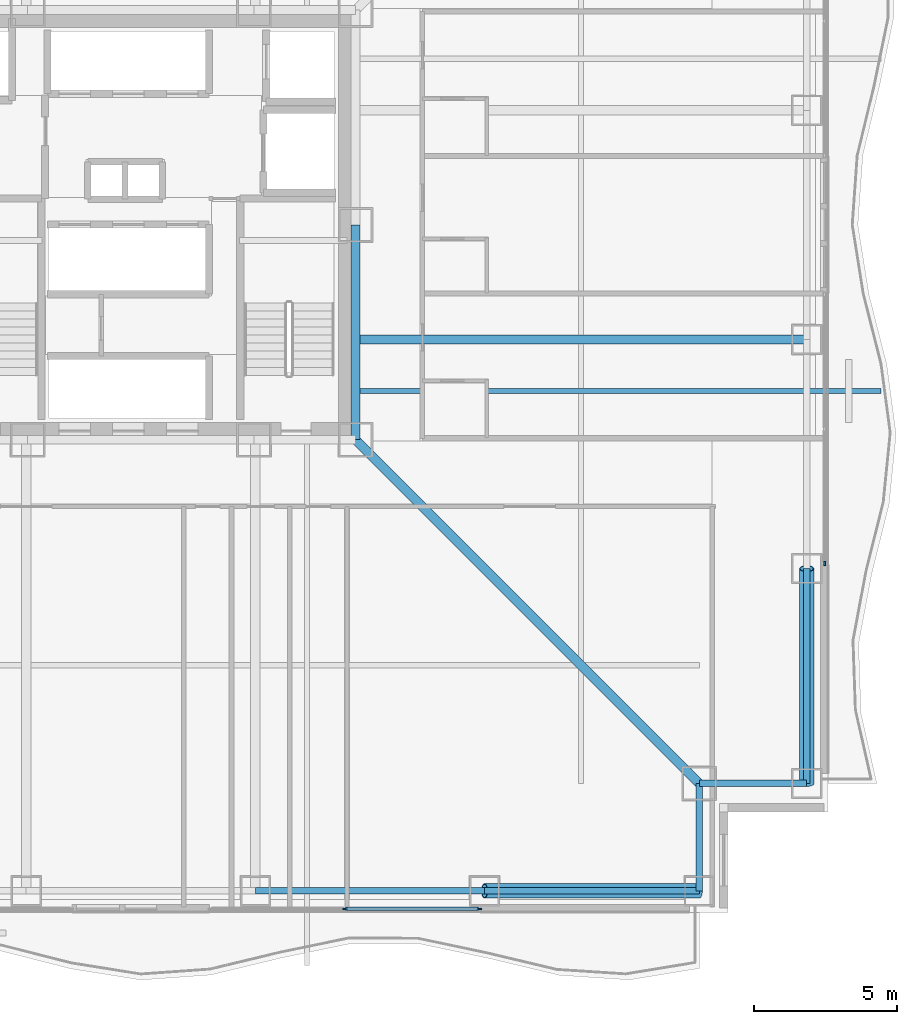
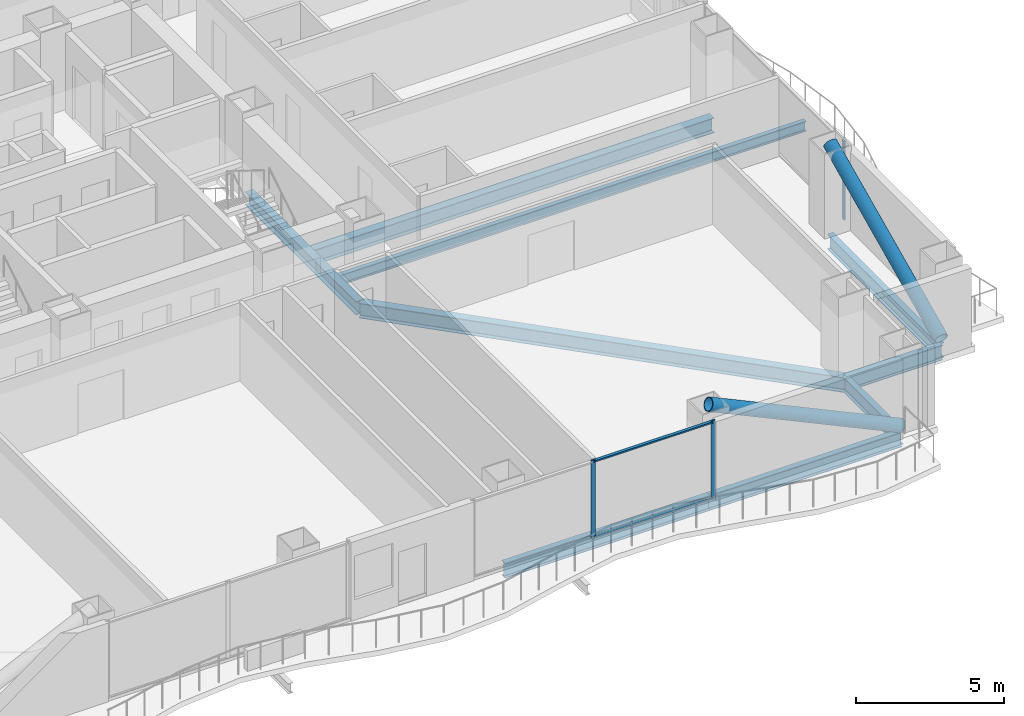
# One storey, part 6 of 24: 9 beams, 7 members, 2 elements without a shape of their own.
"""IFC4 building model written with IfcOpenShell, lengths in metres."""

from ifc_helpers import new_model, si_unit, direction, frame, origin, origin_2d, place, context, subcontext, project, spatial, rectangle, hollow_circle, i_section, extrude, material, layer, layer_set, material_profile, profile_set, type_object, element, aggregate, save


model = new_model("IFC4")

# Units and contexts
model_context = context("Model", 3, precision=1e-05, world=origin(), true_north=direction((0.0, 1.0)))
body_context = subcontext(model_context, "Body", "Model", "MODEL_VIEW")
ifc_project = project(units=[si_unit("LENGTHUNIT", "METRE"), si_unit("AREAUNIT", "SQUARE_METRE"), si_unit("VOLUMEUNIT", "CUBIC_METRE"), si_unit("PLANEANGLEUNIT", "RADIAN"), si_unit("MASSUNIT", "GRAM", prefix="KILO")], contexts=[model_context])

# Site, building, storey
site_placement = place(None, origin())
site = spatial("IfcSite", under=ifc_project, at=site_placement, CompositionType="ELEMENT")
building_placement = place(site_placement, origin())
building = spatial("IfcBuilding", under=site, at=building_placement, Name="Trevonay Congress Spire", CompositionType="ELEMENT")
storey_placement = place(building_placement, frame((0.0, 0.0, 55.0)))
storey = spatial("IfcBuildingStorey", under=building, at=storey_placement, Name="L13", CompositionType="ELEMENT", Elevation=55.0)

# Beams
ifc_material_1 = material(Name="Steel ASTM A572 Grade 50", Category="steel")
ifc_material_profile_1 = material_profile(ifc_material_1, i_section(OverallWidth=0.31201171875, OverallDepth=0.54296875, WebThickness=0.0126953125, FlangeThickness=0.020263671875, FilletRadius=0.014892578125, at=origin_2d()), Name="W530x150")
ifc_profile_set_1 = profile_set([ifc_material_profile_1], Name="Steel ASTM A572 Grade 50")
beam_type_1 = type_object("IfcBeamType", Name="BM-GIRD-W530X150", PredefinedType="BEAM", material=ifc_profile_set_1)
beam_1_placement = place(storey_placement, frame((7.5, -7.5, -0.521484375), z_axis=(0.0, 1.0, 0.0), x_axis=(-1.0, 0.0, 0.0)))
element("IfcBeam", 1, at=beam_1_placement, inside=storey, type_object=beam_type_1, Name="L13 structural beam BM-L13-CR-E1", PredefinedType="BEAM", context=body_context, shape_type="SweptSolid", body=[
    extrude(i_section(OverallWidth=0.31201171875, OverallDepth=0.54296875, WebThickness=0.0126953125, FlangeThickness=0.020263671875, FilletRadius=0.014892578125, at=origin_2d()), origin(), (0.0, 0.0, 1.0), 7.5),
])
ifc_material_profile_2 = material_profile(ifc_material_1, i_section(OverallWidth=0.324951171875, OverallDepth=0.615966796875, WebThickness=0.013916015625, FlangeThickness=0.021484375, FilletRadius=0.01806640625, at=origin_2d()), Name="W610x174")
ifc_profile_set_2 = profile_set([ifc_material_profile_2], Name="Steel ASTM A572 Grade 50")
beam_type_2 = type_object("IfcBeamType", Name="BM-GIRD-W610X174", PredefinedType="BEAM", material=ifc_profile_set_2)
beam_2_placement = place(storey_placement, frame((7.5, -7.5, -0.55810546875), z_axis=(0.707106781187, -0.707106781187, 0.0), x_axis=(0.707106781187, 0.707106781187, 0.0)))
element("IfcBeam", 2, at=beam_2_placement, inside=storey, type_object=beam_type_2, Name="L13 structural beam BM-L13-CDSE", PredefinedType="BEAM", context=body_context, shape_type="SweptSolid", body=[
    extrude(i_section(OverallWidth=0.324951171875, OverallDepth=0.615966796875, WebThickness=0.013916015625, FlangeThickness=0.021484375, FilletRadius=0.01806640625, at=origin_2d()), origin(), (0.0, 0.0, 1.0), 16.970458984375),
])
beam_3_placement = place(storey_placement, frame((7.5, -4.0, -0.55810546875), z_axis=(1.0, 0.0, 0.0), x_axis=(0.0, 1.0, 0.0)))
element("IfcBeam", 3, at=beam_3_placement, inside=storey, type_object=beam_type_2, Name="L13 structural beam BM-L13-GE-M", PredefinedType="BEAM", context=body_context, shape_type="SweptSolid", body=[
    extrude(i_section(OverallWidth=0.324951171875, OverallDepth=0.615966796875, WebThickness=0.013916015625, FlangeThickness=0.021484375, FilletRadius=0.01806640625, at=origin_2d()), origin(), (0.0, 0.0, 1.0), 15.75),
])
ifc_material_profile_3 = material_profile(ifc_material_1, i_section(OverallWidth=0.22998046875, OverallDepth=0.616943359375, WebThickness=0.01318359375, FlangeThickness=0.022216796875, FilletRadius=0.01611328125, at=origin_2d()), Name="W610x140")
ifc_profile_set_3 = profile_set([ifc_material_profile_3], Name="Steel ASTM A572 Grade 50")
beam_type_3 = type_object("IfcBeamType", Name="BM-RING-W610X140", PredefinedType="BEAM", material=ifc_profile_set_3)
beam_4_placement = place(storey_placement, frame((23.25, -19.5, -0.55859375), z_axis=(0.0, 1.0, 0.0), x_axis=(-1.0, 0.0, 0.0)))
element("IfcBeam", 4, at=beam_4_placement, inside=storey, type_object=beam_type_3, Name="L13 structural beam BM-L13-PE1", PredefinedType="BEAM", context=body_context, shape_type="SweptSolid", body=[
    extrude(i_section(OverallWidth=0.22998046875, OverallDepth=0.616943359375, WebThickness=0.01318359375, FlangeThickness=0.022216796875, FilletRadius=0.01611328125, at=origin_2d()), origin(), (0.0, 0.0, 1.0), 7.5),
])
beam_5_placement = place(storey_placement, frame((4.0, -23.25, -0.55859375), z_axis=(1.0, 0.0, 0.0), x_axis=(0.0, 1.0, 0.0)))
element("IfcBeam", 5, at=beam_5_placement, inside=storey, type_object=beam_type_3, Name="L13 structural beam BM-L13-PS4", PredefinedType="BEAM", context=body_context, shape_type="SweptSolid", body=[
    extrude(i_section(OverallWidth=0.22998046875, OverallDepth=0.616943359375, WebThickness=0.01318359375, FlangeThickness=0.022216796875, FilletRadius=0.01611328125, at=origin_2d()), origin(), (0.0, 0.0, 1.0), 8.0),
])
beam_6_placement = place(storey_placement, frame((12.0, -23.25, -0.55859375), z_axis=(1.0, 0.0, 0.0), x_axis=(0.0, 1.0, 0.0)))
element("IfcBeam", 6, at=beam_6_placement, inside=storey, type_object=beam_type_3, Name="L13 structural beam BM-L13-PS5", PredefinedType="BEAM", context=body_context, shape_type="SweptSolid", body=[
    extrude(i_section(OverallWidth=0.22998046875, OverallDepth=0.616943359375, WebThickness=0.01318359375, FlangeThickness=0.022216796875, FilletRadius=0.01611328125, at=origin_2d()), origin(), (0.0, 0.0, 1.0), 7.5),
])
for number, where, z_axis, x_axis, name in (
    (7, (19.5, -23.25, -0.55859375), (0.0, 1.0, 0.0), (-1.0, 0.0, 0.0), "L13 structural beam BM-L13-N1SE"),
    (8, (23.25, -19.5, -0.55859375), (-1.0, 0.0, 0.0), (0.0, -1.0, 0.0), "L13 structural beam BM-L13-N2SE"),
):
    element("IfcBeam", number, at=place(storey_placement, frame(where, z_axis=z_axis, x_axis=x_axis)), inside=storey, type_object=beam_type_3, Name=name, PredefinedType="BEAM", context=body_context, shape_type="SweptSolid", body=[
        extrude(i_section(OverallWidth=0.22998046875, OverallDepth=0.616943359375, WebThickness=0.01318359375, FlangeThickness=0.022216796875, FilletRadius=0.01611328125, at=origin_2d()), origin(), (0.0, 0.0, 1.0), 3.75),
    ])
ifc_material_profile_4 = material_profile(ifc_material_1, i_section(OverallWidth=0.180908203125, OverallDepth=0.4169921875, WebThickness=0.010986328125, FlangeThickness=0.018310546875, FilletRadius=0.012939453125, at=origin_2d()), Name="W410x85")
ifc_profile_set_4 = profile_set([ifc_material_profile_4], Name="Steel ASTM A572 Grade 50")
beam_type_4 = type_object("IfcBeamType", Name="BM-WAV-LOOKOUT", PredefinedType="BEAM", material=ifc_profile_set_4)
beam_7_placement = place(storey_placement, frame((7.5, -5.800048828125, -0.45849609375), z_axis=(1.0, 0.0, 0.0), x_axis=(0.0, 1.0, 0.0)))
element("IfcBeam", 9, at=beam_7_placement, inside=storey, type_object=beam_type_4, Name="L13 structural beam WLK-L13-E1", PredefinedType="BEAM", context=body_context, shape_type="SweptSolid", body=[
    extrude(i_section(OverallWidth=0.180908203125, OverallDepth=0.4169921875, WebThickness=0.010986328125, FlangeThickness=0.018310546875, FilletRadius=0.012939453125, at=origin_2d()), origin(), (0.0, 0.0, 1.0), 18.35009765625),
])

# Curtain wall, members
ifc_material_2 = material(Name="Pale Anodised Aluminium EN AW-6063-T6", Category="aluminium")
ifc_layer = layer(ifc_material_2, 0.179931640625, Name="Pale Anodised Aluminium EN AW-6063-T6")
ifc_layer_set = layer_set([ifc_layer], Name="Pale Anodised Aluminium EN AW-6063-T6")
curtain_wall_type = type_object("IfcCurtainWallType", Name="CW-SYS02-HOTEL-PALE-METAL", PredefinedType="NOTDEFINED", material=ifc_layer_set)
curtain_wall_1_placement = place(storey_placement, origin())
curtain_wall_1 = element("IfcCurtainWall", 10, at=curtain_wall_1_placement, inside=storey, type_object=curtain_wall_type, Name="L13 SB unitised curtain wall", PredefinedType="NOTDEFINED")
ifc_material_profile_5 = material_profile(ifc_material_2, rectangle(XDim=0.06005859375, YDim=0.159912109375, at=origin_2d()), Name="CW-MULLION-160-ALUMINIUM")
ifc_profile_set_5 = profile_set([ifc_material_profile_5], Name="Pale Anodised Aluminium EN AW-6063-T6")
member_type_1 = type_object("IfcMemberType", Name="CW-MULLION-160-ALUMINIUM", PredefinedType="MULLION", material=ifc_profile_set_5)
member_1_placement = place(storey_placement, frame((7.125, -23.8798828125, 0.0), z_axis=(0.0, 0.0, 1.0), x_axis=(0.0, 1.0, 0.0)))
member_1 = element("IfcMember", 11, at=member_1_placement, type_object=member_type_1, Name="CW02 mullion 2", PredefinedType="MULLION", context=body_context, shape_type="SweptSolid", body=[
    extrude(rectangle(XDim=0.06005859375, YDim=0.159912109375, at=origin_2d()), origin(), (0.0, 0.0, 1.0), 3.25),
])
member_2_placement = place(storey_placement, frame((11.820068359375, -23.8798828125, 0.0), z_axis=(0.0, 0.0, 1.0), x_axis=(0.0, 1.0, 0.0)))
member_2 = element("IfcMember", 12, at=member_2_placement, type_object=member_type_1, Name="CW02 mullion 3", PredefinedType="MULLION", context=body_context, shape_type="SweptSolid", body=[
    extrude(rectangle(XDim=0.06005859375, YDim=0.159912109375, at=origin_2d()), origin(), (0.0, 0.0, 1.0), 3.25),
])

# Curtain wall, member
curtain_wall_2_placement = place(storey_placement, origin())
curtain_wall_2 = element("IfcCurtainWall", 13, at=curtain_wall_2_placement, inside=storey, type_object=curtain_wall_type, Name="L13 EA unitised curtain wall", PredefinedType="NOTDEFINED")
member_3_placement = place(storey_placement, frame((23.8798828125, -11.820068359375, 0.0), z_axis=(0.0, 0.0, 1.0), x_axis=(-1.0, 0.0, 0.0)))
member_3 = element("IfcMember", 14, at=member_3_placement, type_object=member_type_1, Name="CW02 mullion 1", PredefinedType="MULLION", context=body_context, shape_type="SweptSolid", body=[
    extrude(rectangle(XDim=0.06005859375, YDim=0.159912109375, at=origin_2d()), origin(), (0.0, 0.0, 1.0), 3.25),
])
aggregate(curtain_wall_2, [member_3])

# Member
ifc_material_profile_6 = material_profile(ifc_material_2, rectangle(XDim=0.1201171875, YDim=0.06005859375, at=origin_2d()), Name="CW-TRANSOM-120-ALUMINIUM")
ifc_profile_set_6 = profile_set([ifc_material_profile_6], Name="Pale Anodised Aluminium EN AW-6063-T6")
member_type_2 = type_object("IfcMemberType", Name="CW-TRANSOM-120-ALUMINIUM", PredefinedType="USERDEFINED", material=ifc_profile_set_6)
member_4_placement = place(storey_placement, frame((7.155029296875, -23.8798828125, 0.06005859375), z_axis=(1.0, 0.0, 0.0), x_axis=(0.0, 1.0, 0.0)))
member_4 = element("IfcMember", 15, at=member_4_placement, type_object=member_type_2, Name="CW02 transom 2.1", ObjectType="TRANSOM", PredefinedType="USERDEFINED", context=body_context, shape_type="SweptSolid", body=[
    extrude(rectangle(XDim=0.1201171875, YDim=0.06005859375, at=origin_2d()), origin(), (0.0, 0.0, 1.0), 4.635009765625),
])

member_5_placement = place(storey_placement, frame((7.155029296875, -23.8798828125, 3.18994140625), z_axis=(1.0, 0.0, 0.0), x_axis=(0.0, 1.0, 0.0)))
member_5 = element("IfcMember", 16, at=member_5_placement, type_object=member_type_2, Name="CW02 transom 2.2", ObjectType="TRANSOM", PredefinedType="USERDEFINED", context=body_context, shape_type="SweptSolid", body=[
    extrude(rectangle(XDim=0.1201171875, YDim=0.06005859375, at=origin_2d()), origin(), (0.0, 0.0, 1.0), 4.635009765625),
])

aggregate(curtain_wall_1, [member_1, member_2, member_4, member_5])

# Members
ifc_material_profile_7 = material_profile(ifc_material_1, hollow_circle(Radius=0.25390625, WallThickness=0.02490234375, at=origin_2d()), Name="CHS 508x25")
ifc_profile_set_7 = profile_set([ifc_material_profile_7], Name="Steel ASTM A572 Grade 50")
member_type_3 = type_object("IfcMemberType", Name="MBR-TUBE-CHS508", PredefinedType="BRACE", material=ifc_profile_set_7)
for number, where, z_axis, x_axis, name in (
    (17, (19.5, -23.25, -0.050048828125), (-0.906183139995, 0.0, 0.422885465331), (0.0, -1.0, 0.0), "L13 perimeter braced-tube diagonal S4"),
    (18, (23.25, -19.5, -0.050048828125), (0.0, 0.906183139995, 0.422885465331), (-1.0, 0.0, 0.0), "L13 perimeter braced-tube diagonal E0"),
):
    element("IfcMember", number, at=place(storey_placement, frame(where, z_axis=z_axis, x_axis=x_axis)), inside=storey, type_object=member_type_3, Name=name, PredefinedType="BRACE", context=body_context, shape_type="SweptSolid", body=[
        extrude(hollow_circle(Radius=0.25390625, WallThickness=0.02490234375, at=origin_2d()), origin(), (0.0, 0.0, 1.0), 8.2763671875),
    ])

save(model, "model.ifc")
